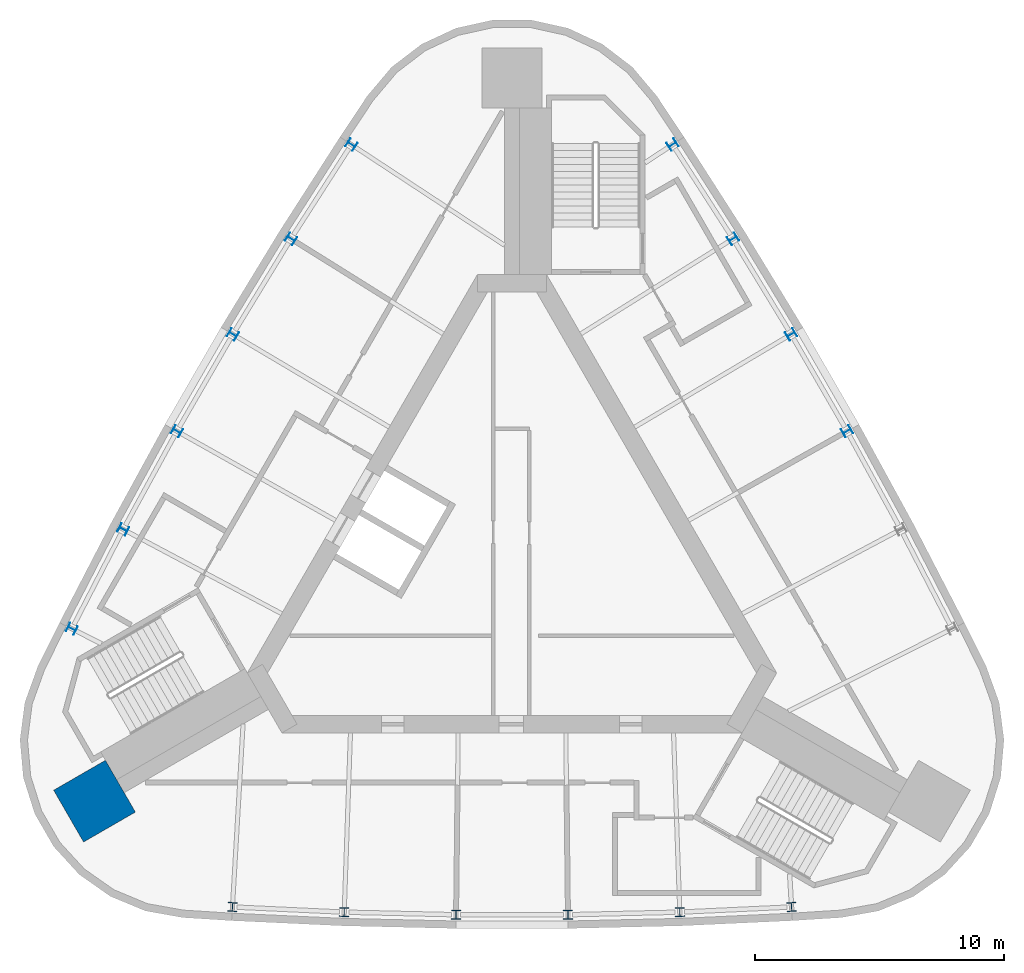
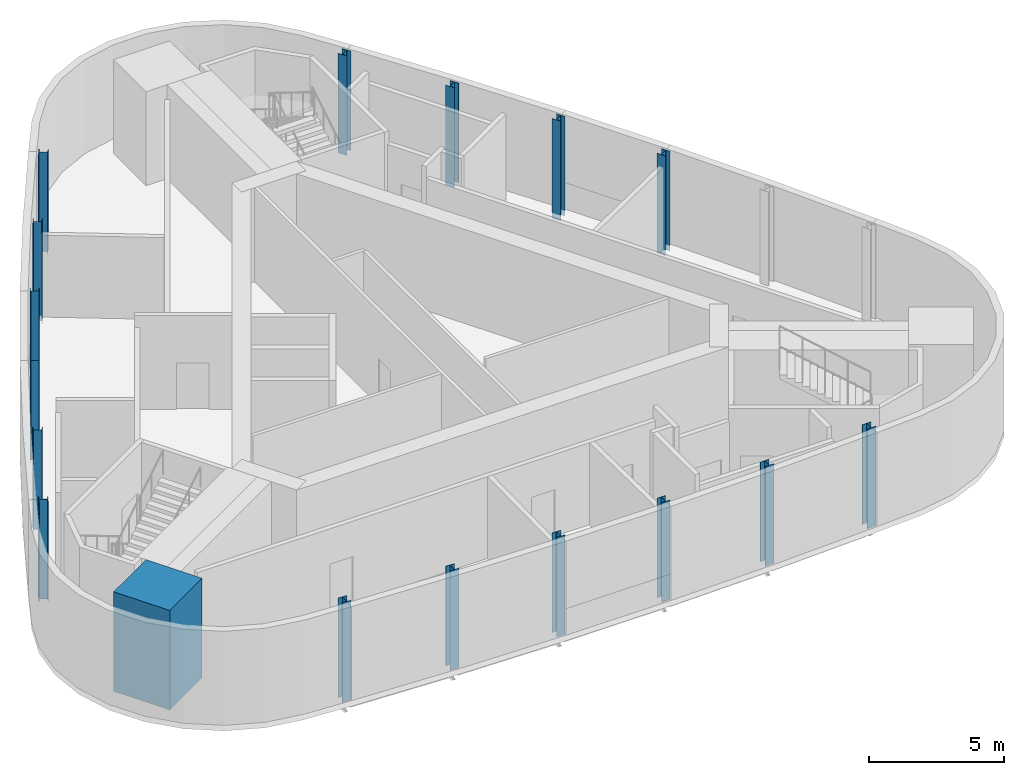
# One storey, part 1 of 7: 17 columns.
"""IFC4 building model written with IfcOpenShell, lengths in metres."""

from ifc_helpers import new_model, si_unit, direction, frame, origin, origin_2d, place, context, subcontext, project, spatial, rectangle, i_section, extrude, material, material_profile, profile_set, type_object, element, save


model = new_model("IFC4")

# Units and contexts
model_context = context("Model", 3, precision=1e-05, world=origin(), true_north=direction((0.0, 1.0)))
body_context = subcontext(model_context, "Body", "Model", "MODEL_VIEW")
ifc_project = project(units=[si_unit("LENGTHUNIT", "METRE"), si_unit("AREAUNIT", "SQUARE_METRE"), si_unit("VOLUMEUNIT", "CUBIC_METRE"), si_unit("PLANEANGLEUNIT", "RADIAN"), si_unit("MASSUNIT", "GRAM", prefix="KILO")], contexts=[model_context])

# Site, building, storey
site_placement = place(None, origin())
site = spatial("IfcSite", under=ifc_project, at=site_placement, CompositionType="ELEMENT")
building_placement = place(site_placement, origin())
building = spatial("IfcBuilding", under=site, at=building_placement, Name="Noor Cloister Tower", CompositionType="ELEMENT")
storey_placement = place(building_placement, frame((0.0, 0.0, 284.10009765625)))
storey = spatial("IfcBuildingStorey", under=building, at=storey_placement, Name="L72", CompositionType="ELEMENT", Elevation=284.10009765625)

# Columns
ifc_material_1 = material(Name="Steel ASTM A992 Gr 50", Category="steel")
ifc_material_profile_1 = material_profile(ifc_material_1, i_section(OverallWidth=0.367919921875, OverallDepth=0.35595703125, WebThickness=0.01123046875, FlangeThickness=0.01806640625, FilletRadius=0.015380859375, at=origin_2d()), Name="W360x134")
ifc_profile_set_1 = profile_set([ifc_material_profile_1], Name="Steel ASTM A992 Gr 50")
column_type_1 = type_object("IfcColumnType", Name="Column W360x134", PredefinedType="COLUMN", material=ifc_profile_set_1)
for number, where, z_axis, x_axis, name in (
    (1, (-6.441650390625, 16.66552734375, -0.25), (0.0, 0.0, 1.0), (-0.549344612048, -0.835595893488, 0.0), "Column NW 01 L72"),
    (2, (-8.863037109375, 12.8876953125, -0.25), (0.0, 0.0, 1.0), (-0.529819164802, -0.84811063701, 0.0), "Column NW 02 L72"),
    (3, (-11.196044921875, 9.0546875, -0.25), (0.0, 0.0, 1.0), (-0.51000874803, -0.860169214127, 0.0), "Column NW 03 L72"),
    (4, (-13.439697265625, 5.168701171875, -0.25), (0.0, 0.0, 1.0), (-0.489924016972, -0.87176513901, 0.0), "Column NW 04 L72"),
    (5, (-15.592529296875, 1.231689453125, -0.25), (0.0, 0.0, 1.0), (-0.469575774469, -0.882892174635, 0.0), "Column NW 05 L72"),
    (6, (-17.653564453125, -2.75390625, -0.25), (0.0, 0.0, 1.0), (-0.448974965035, -0.893544336209, 0.0), "Column NW 06 L72"),
    (7, (-11.2119140625, -13.911376953125, -0.25), (0.0, 0.0, 1.0), (0.998319577082, -0.057948442721, 0.0), "Column S 01 L72"),
    (8, (-6.7294921875, -14.119384765625, -0.25), (0.0, 0.0, 1.0), (0.999394939271, -0.034781537625, 0.0), "Column S 02 L72"),
    (9, (-2.24365234375, -14.2236328125, -0.25), (0.0, 0.0, 1.0), (0.999932765003, -0.011595924883, 0.0), "Column S 03 L72"),
    (10, (2.24365234375, -14.2236328125, -0.25), (0.0, 0.0, 1.0), (0.999932765003, 0.011595924883, 0.0), "Column S 04 L72"),
    (11, (6.7294921875, -14.119384765625, -0.25), (0.0, 0.0, 1.0), (0.999394939271, 0.034781537625, 0.0), "Column S 05 L72"),
    (12, (11.2119140625, -13.911376953125, -0.25), (0.0, 0.0, 1.0), (0.998319577082, 0.057948442721, 0.0), "Column S 06 L72"),
    (13, (13.439697265625, 5.168701171875, -0.25), (0.0, 0.0, 1.0), (-0.489924016972, 0.87176513901, 0.0), "Column NE 03 L72"),
    (14, (11.196044921875, 9.0546875, -0.25), (0.0, 0.0, 1.0), (-0.51000874803, 0.860169214127, 0.0), "Column NE 04 L72"),
    (15, (8.863037109375, 12.8876953125, -0.25), (0.0, 0.0, 1.0), (-0.529819164802, 0.84811063701, 0.0), "Column NE 05 L72"),
    (16, (6.441650390625, 16.66552734375, -0.25), (0.0, 0.0, 1.0), (-0.549344612048, 0.835595893488, 0.0), "Column NE 06 L72"),
):
    element("IfcColumn", number, at=place(storey_placement, frame(where, z_axis=z_axis, x_axis=x_axis)), inside=storey, type_object=column_type_1, Name=name, PredefinedType="COLUMN", context=body_context, shape_type="SweptSolid", body=[
        extrude(i_section(OverallWidth=0.367919921875, OverallDepth=0.35595703125, WebThickness=0.01123046875, FlangeThickness=0.01806640625, FilletRadius=0.015380859375, at=origin_2d()), origin(), (0.0, 0.0, 1.0), 4.5),
    ])
ifc_material_2 = material(Name="Concrete C50/60", Category="concrete")
ifc_material_profile_2 = material_profile(ifc_material_2, rectangle(XDim=2.39990234375, YDim=2.39990234375, at=origin_2d()), Name="RC 2400x2400")
ifc_profile_set_2 = profile_set([ifc_material_profile_2], Name="Concrete C50/60")
column_type_2 = type_object("IfcColumnType", Name="Corner pier 2400 x 2400 C50/60", PredefinedType="COLUMN", material=ifc_profile_set_2)
column_placement = place(storey_placement, frame((-16.74462890625, -9.66748046875, -0.25), z_axis=(0.0, 0.0, 1.0), x_axis=(-0.866025403784, -0.5, 0.0)))
element("IfcColumn", 17, at=column_placement, inside=storey, type_object=column_type_2, Name="Corner pier SW L72", PredefinedType="COLUMN", context=body_context, shape_type="SweptSolid", body=[
    extrude(rectangle(XDim=2.39990234375, YDim=2.39990234375, at=origin_2d()), origin(), (0.0, 0.0, 1.0), 4.5),
])

save(model, "model.ifc")
